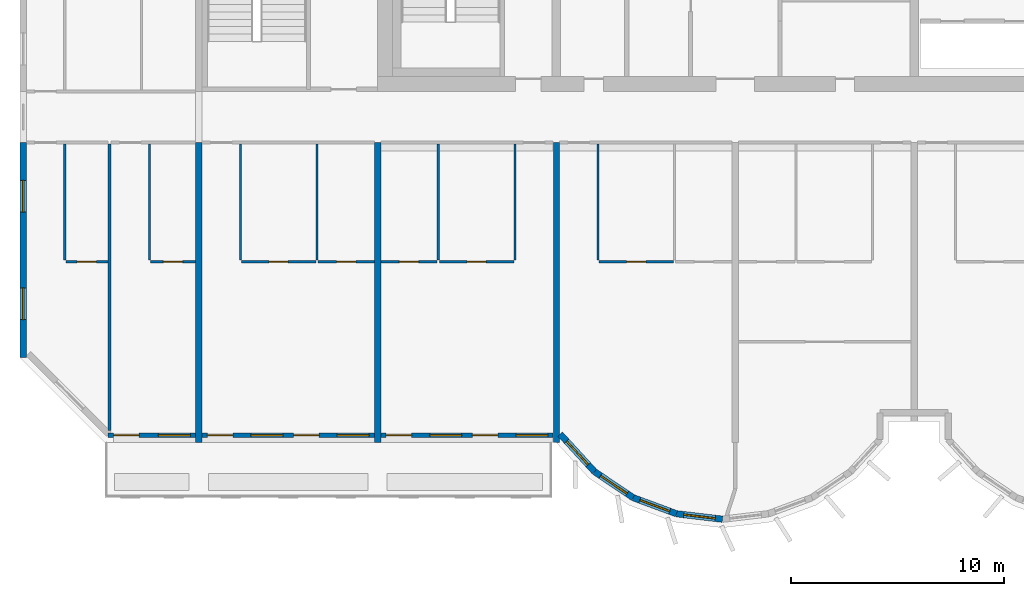
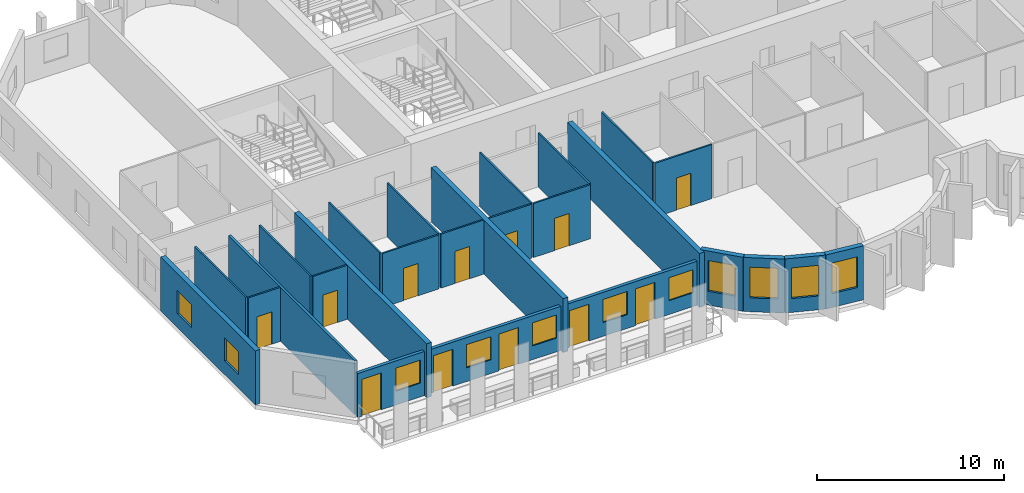
# One storey, part 2 of 13: 26 walls, 12 doors, 11 windows, 23 openings.
"""IFC4 building model written with IfcOpenShell, lengths in metres."""

from ifc_helpers import new_model, si_unit, direction, frame, frame_2d, origin, place, context, subcontext, project, spatial, rectangle, extrude, source, transform, mapped, material, layer, layer_set, type_object, element, fill, save


model = new_model("IFC4")

# Units and contexts
model_context = context("Model", 3, precision=1e-05, world=origin(), true_north=direction((0.0, 1.0)))
body_context = subcontext(model_context, "Body", "Model", "MODEL_VIEW")
ifc_project = project(units=[si_unit("LENGTHUNIT", "METRE"), si_unit("AREAUNIT", "SQUARE_METRE"), si_unit("VOLUMEUNIT", "CUBIC_METRE"), si_unit("PLANEANGLEUNIT", "RADIAN"), si_unit("MASSUNIT", "GRAM", prefix="KILO")], contexts=[model_context])

# Site, building, storey
site_placement = place(None, origin())
site = spatial("IfcSite", under=ifc_project, at=site_placement, CompositionType="ELEMENT")
building_placement = place(site_placement, origin())
building = spatial("IfcBuilding", under=site, at=building_placement, Name="Vanashikhar Sky Hotel", CompositionType="ELEMENT")
storey_placement = place(building_placement, frame((0.0, 0.0, 189.60009765625)))
storey = spatial("IfcBuildingStorey", under=building, at=storey_placement, Name="L46", CompositionType="ELEMENT", Elevation=189.60009765625)

# Wall, openings, windows
ifc_material_1 = material(Name="Concrete M60", Category="concrete")
ifc_layer_1 = layer(ifc_material_1, 0.300048828125)
ifc_layer_set_1 = layer_set([ifc_layer_1], Name="RC shear wall 300 Concrete M60")
wall_type_1 = type_object("IfcWallType", Name="RC shear wall 300 Concrete M60", PredefinedType="SHEAR", material=ifc_layer_set_1)
shared_shape_1 = source(origin(), body_context, "Body", "SweptSolid", [
    extrude(rectangle(XDim=10.10009765625, YDim=0.300048828125, at=frame_2d((5.050048828125, 0.0))), origin(), (0.0, 0.0, 1.0), 3.52001953125),
])
wall_1_placement = place(storey_placement, frame((8.550048828125, 9.5, 0.0), z_axis=(0.0, 0.0, 1.0), x_axis=(0.0, 1.0, 0.0)))
wall_1 = element("IfcWall", 1, at=wall_1_placement, inside=storey, type_object=wall_type_1, Name="CW-L46-XW02-1", PredefinedType="SHEAR", context=body_context, shape_type="MappedRepresentation", body=[
    mapped(shared_shape_1, transform((0.0, 0.0, 0.0), scale=1.0)),
])
shared_shape_2 = source(origin(), body_context, "Body", "SweptSolid", [
    extrude(rectangle(XDim=1.5, YDim=1.5, at=frame_2d((0.75, 0.75))), frame((0.0, 0.16015625, 0.0), z_axis=(0.0, -1.0, 0.0), x_axis=(1.0, 0.0, 0.0)), (0.0, 0.0, 1.0), 0.320068359375),
])
opening_1_placement = place(wall_1_placement, frame((1.77490234375, 0.0, 0.89990234375)))
opening_1 = element("IfcOpeningElement", 2, at=opening_1_placement, cuts=wall_1, Name="Opening WN-1", PredefinedType="OPENING", context=body_context, shape_type="MappedRepresentation", body=[
    mapped(shared_shape_2, transform((0.0, 0.0, 0.0), scale=1.0)),
])
opening_2_placement = place(wall_1_placement, frame((6.824951171875, 0.0, 0.89990234375)))
opening_2 = element("IfcOpeningElement", 3, at=opening_2_placement, cuts=wall_1, Name="Opening WN-1", PredefinedType="OPENING", context=body_context, shape_type="MappedRepresentation", body=[
    mapped(shared_shape_2, transform((0.0, 0.0, 0.0), scale=1.0)),
])
ifc_material_2 = material(Name="Glass", Category="glass")
window_type_1 = type_object("IfcWindowType", Name="Window 1500 x 1500", PartitioningType="SINGLE_PANEL", PredefinedType="WINDOW", material=ifc_material_2)
shared_shape_3 = source(origin(), body_context, "Body", "SweptSolid", [
    extrude(rectangle(XDim=1.5, YDim=1.5, at=frame_2d((0.75, 0.75))), frame((0.0, 0.030029296875, 0.0), z_axis=(0.0, -1.0, 0.0), x_axis=(1.0, 0.0, 0.0)), (0.0, 0.0, 1.0), 0.06005859375),
])
window_1_placement = place(opening_1_placement, origin())
window_1 = element("IfcWindow", 4, at=window_1_placement, inside=storey, type_object=window_type_1, Name="Window WN-1", OverallHeight=1.5, OverallWidth=1.5, PartitioningType="SINGLE_PANEL", PredefinedType="WINDOW", context=body_context, shape_type="MappedRepresentation", body=[
    mapped(shared_shape_3, transform((0.0, 0.0, 0.0), scale=1.0)),
])
fill(opening_1, window_1)
window_2_placement = place(opening_2_placement, origin())
window_2 = element("IfcWindow", 5, at=window_2_placement, inside=storey, type_object=window_type_1, Name="Window WN-1", OverallHeight=1.5, OverallWidth=1.5, PartitioningType="SINGLE_PANEL", PredefinedType="WINDOW", context=body_context, shape_type="MappedRepresentation", body=[
    mapped(shared_shape_3, transform((0.0, 0.0, 0.0), scale=1.0)),
])
fill(opening_2, window_2)

# Walls
shared_shape_4 = source(origin(), body_context, "Body", "SweptSolid", [
    extrude(rectangle(XDim=14.10009765625, YDim=0.300048828125, at=frame_2d((7.050048828125, 0.0))), origin(), (0.0, 0.0, 1.0), 3.52001953125),
])
for number, where, z_axis, x_axis, name in (
    (6, (16.800048828125, 5.5, 0.0), (0.0, 0.0, 1.0), (0.0, 1.0, 0.0), "CW-L46-XW03-1"),
    (7, (25.199951171875, 5.5, 0.0), (0.0, 0.0, 1.0), (0.0, 1.0, 0.0), "CW-L46-XW04-1"),
    (8, (33.60009765625, 5.5, 0.0), (0.0, 0.0, 1.0), (0.0, 1.0, 0.0), "CW-L46-XW05-1"),
):
    element("IfcWall", number, at=place(storey_placement, frame(where, z_axis=z_axis, x_axis=x_axis)), inside=storey, type_object=wall_type_1, Name=name, PredefinedType="SHEAR", context=body_context, shape_type="MappedRepresentation", body=[
        mapped(shared_shape_4, transform((0.0, 0.0, 0.0), scale=1.0)),
    ])

# Wall, opening, window
ifc_material_3 = material(Name="Concrete M50", Category="concrete")
ifc_layer_2 = layer(ifc_material_3, 0.300048828125)
ifc_layer_set_2 = layer_set([ifc_layer_2], Name="Lobe wall 300")
wall_type_2 = type_object("IfcWallType", Name="Lobe wall 300", PredefinedType="SOLIDWALL", material=ifc_layer_set_2)
shared_shape_5 = source(origin(), body_context, "Body", "SweptSolid", [
    extrude(rectangle(XDim=2.398193359375, YDim=0.300048828125, at=frame_2d((1.19921875, 0.0))), origin(), (0.0, 0.0, 1.0), 3.52001953125),
])
wall_2_placement = place(storey_placement, frame((33.776123046875, 5.89990234375, 0.0), z_axis=(0.0, 0.0, 1.0), x_axis=(0.675374189419, -0.737475222815, 0.0)))
wall_2 = element("IfcWall", 9, at=wall_2_placement, inside=storey, type_object=wall_type_2, Name="Lobe wall", PredefinedType="SOLIDWALL", context=body_context, shape_type="MappedRepresentation", body=[
    mapped(shared_shape_5, transform((0.0, 0.0, 0.0), scale=1.0)),
])
shared_shape_6 = source(origin(), body_context, "Body", "SweptSolid", [
    extrude(rectangle(XDim=1.5, YDim=2.0, at=frame_2d((0.75, 1.0))), frame((0.0, 0.16015625, 0.0), z_axis=(0.0, -1.0, 0.0), x_axis=(1.0, 0.0, 0.0)), (0.0, 0.0, 1.0), 0.320068359375),
])
opening_3_placement = place(wall_2_placement, frame((0.44921875, 0.0, 0.89990234375)))
opening_3 = element("IfcOpeningElement", 10, at=opening_3_placement, cuts=wall_2, Name="Opening WN-2", PredefinedType="OPENING", context=body_context, shape_type="MappedRepresentation", body=[
    mapped(shared_shape_6, transform((0.0, 0.0, 0.0), scale=1.0)),
])
window_type_2 = type_object("IfcWindowType", Name="Lobe window 1500 x 2000", PartitioningType="SINGLE_PANEL", PredefinedType="WINDOW", material=ifc_material_2)
shared_shape_7 = source(origin(), body_context, "Body", "SweptSolid", [
    extrude(rectangle(XDim=1.5, YDim=2.0, at=frame_2d((0.75, 1.0))), frame((0.0, 0.030029296875, 0.0), z_axis=(0.0, -1.0, 0.0), x_axis=(1.0, 0.0, 0.0)), (0.0, 0.0, 1.0), 0.06005859375),
])
window_3_placement = place(opening_3_placement, origin())
window_3 = element("IfcWindow", 11, at=window_3_placement, inside=storey, type_object=window_type_2, Name="Window WN-2", OverallHeight=2.0, OverallWidth=1.5, PartitioningType="SINGLE_PANEL", PredefinedType="WINDOW", context=body_context, shape_type="MappedRepresentation", body=[
    mapped(shared_shape_7, transform((0.0, 0.0, 0.0), scale=1.0)),
])
fill(opening_3, window_3)

shared_shape_8 = source(origin(), body_context, "Body", "SweptSolid", [
    extrude(rectangle(XDim=2.17578125, YDim=0.300048828125, at=frame_2d((1.087890625, 0.0))), origin(), (0.0, 0.0, 1.0), 3.52001953125),
])
wall_3_placement = place(storey_placement, frame((35.395751953125, 4.13134765625, 0.0), z_axis=(0.0, 0.0, 1.0), x_axis=(0.829590746428, -0.558371913192, 0.0)))
wall_3 = element("IfcWall", 12, at=wall_3_placement, inside=storey, type_object=wall_type_2, Name="Lobe wall", PredefinedType="SOLIDWALL", context=body_context, shape_type="MappedRepresentation", body=[
    mapped(shared_shape_8, transform((0.0, 0.0, 0.0), scale=1.0)),
])
opening_4_placement = place(wall_3_placement, frame((0.337890625, 0.0, 0.89990234375)))
opening_4 = element("IfcOpeningElement", 13, at=opening_4_placement, cuts=wall_3, Name="Opening WN-2", PredefinedType="OPENING", context=body_context, shape_type="MappedRepresentation", body=[
    mapped(shared_shape_6, transform((0.0, 0.0, 0.0), scale=1.0)),
])
window_4_placement = place(opening_4_placement, origin())
window_4 = element("IfcWindow", 14, at=window_4_placement, inside=storey, type_object=window_type_2, Name="Window WN-2", OverallHeight=2.0, OverallWidth=1.5, PartitioningType="SINGLE_PANEL", PredefinedType="WINDOW", context=body_context, shape_type="MappedRepresentation", body=[
    mapped(shared_shape_7, transform((0.0, 0.0, 0.0), scale=1.0)),
])
fill(opening_4, window_4)

wall_4_placement = place(storey_placement, frame((37.20068359375, 2.91650390625, 0.0), z_axis=(0.0, 0.0, 1.0), x_axis=(0.93754555999, -0.347862505801, 0.0)))
wall_4 = element("IfcWall", 15, at=wall_4_placement, inside=storey, type_object=wall_type_2, Name="Lobe wall", PredefinedType="SOLIDWALL", context=body_context, shape_type="MappedRepresentation", body=[
    mapped(shared_shape_8, transform((0.0, 0.0, 0.0), scale=1.0)),
])
opening_5_placement = place(wall_4_placement, frame((0.337890625, 0.0, 0.89990234375)))
opening_5 = element("IfcOpeningElement", 16, at=opening_5_placement, cuts=wall_4, Name="Opening WN-2", PredefinedType="OPENING", context=body_context, shape_type="MappedRepresentation", body=[
    mapped(shared_shape_6, transform((0.0, 0.0, 0.0), scale=1.0)),
])
window_5_placement = place(opening_5_placement, origin())
window_5 = element("IfcWindow", 17, at=window_5_placement, inside=storey, type_object=window_type_2, Name="Window WN-2", OverallHeight=2.0, OverallWidth=1.5, PartitioningType="SINGLE_PANEL", PredefinedType="WINDOW", context=body_context, shape_type="MappedRepresentation", body=[
    mapped(shared_shape_7, transform((0.0, 0.0, 0.0), scale=1.0)),
])
fill(opening_5, window_5)

shared_shape_9 = source(origin(), body_context, "Body", "SweptSolid", [
    extrude(rectangle(XDim=2.174560546875, YDim=0.300048828125, at=frame_2d((1.08740234375, 0.0))), origin(), (0.0, 0.0, 1.0), 3.52001953125),
])
wall_5_placement = place(storey_placement, frame((39.240478515625, 2.15966796875, 0.0), z_axis=(0.0, 0.0, 1.0), x_axis=(0.993001132889, -0.118104826659, 0.0)))
wall_5 = element("IfcWall", 18, at=wall_5_placement, inside=storey, type_object=wall_type_2, Name="Lobe wall", PredefinedType="SOLIDWALL", context=body_context, shape_type="MappedRepresentation", body=[
    mapped(shared_shape_9, transform((0.0, 0.0, 0.0), scale=1.0)),
])
opening_6_placement = place(wall_5_placement, frame((0.33740234375, 0.0, 0.89990234375)))
opening_6 = element("IfcOpeningElement", 19, at=opening_6_placement, cuts=wall_5, Name="Opening WN-2", PredefinedType="OPENING", context=body_context, shape_type="MappedRepresentation", body=[
    mapped(shared_shape_6, transform((0.0, 0.0, 0.0), scale=1.0)),
])
window_6_placement = place(opening_6_placement, origin())
window_6 = element("IfcWindow", 20, at=window_6_placement, inside=storey, type_object=window_type_2, Name="Window WN-2", OverallHeight=2.0, OverallWidth=1.5, PartitioningType="SINGLE_PANEL", PredefinedType="WINDOW", context=body_context, shape_type="MappedRepresentation", body=[
    mapped(shared_shape_7, transform((0.0, 0.0, 0.0), scale=1.0)),
])
fill(opening_6, window_6)

# Wall, openings, window, door
ifc_layer_3 = layer(ifc_material_3, 0.199951171875)
ifc_layer_set_3 = layer_set([ifc_layer_3], Name="Front window wall 200")
wall_type_3 = type_object("IfcWallType", Name="Front window wall 200", PredefinedType="SOLIDWALL", material=ifc_layer_set_3)
shared_shape_10 = source(origin(), body_context, "Body", "SweptSolid", [
    extrude(rectangle(XDim=4.10498046875, YDim=0.199951171875, at=frame_2d((2.052490234375, 0.0))), origin(), (0.0, 0.0, 1.0), 2.869873046875),
])
wall_6_placement = place(storey_placement, frame((12.544921875, 5.85009765625, 0.0), z_axis=(0.0, 0.0, 1.0), x_axis=(1.0, 0.0, 0.0)))
wall_6 = element("IfcWall", 21, at=wall_6_placement, inside=storey, type_object=wall_type_3, Name="Front window wall", PredefinedType="SOLIDWALL", context=body_context, shape_type="MappedRepresentation", body=[
    mapped(shared_shape_10, transform((0.0, 0.0, 0.0), scale=1.0)),
])
shared_shape_11 = source(origin(), body_context, "Body", "SweptSolid", [
    extrude(rectangle(XDim=1.199951171875, YDim=2.39990234375, at=frame_2d((0.60009765625, 1.199951171875))), frame((0.0, 0.10986328125, 0.0), z_axis=(0.0, -1.0, 0.0), x_axis=(1.0, 0.0, 0.0)), (0.0, 0.0, 1.0), 0.219970703125),
])
opening_7_placement = place(wall_6_placement, frame((0.25, 0.0, 0.0)))
opening_7 = element("IfcOpeningElement", 22, at=opening_7_placement, cuts=wall_6, Name="Opening BD-01", PredefinedType="OPENING", context=body_context, shape_type="MappedRepresentation", body=[
    mapped(shared_shape_11, transform((0.0, 0.0, 0.0), scale=1.0)),
])
shared_shape_12 = source(origin(), body_context, "Body", "SweptSolid", [
    extrude(rectangle(XDim=1.5, YDim=1.5, at=frame_2d((0.75, 0.75))), frame((0.0, 0.10986328125, 0.0), z_axis=(0.0, -1.0, 0.0), x_axis=(1.0, 0.0, 0.0)), (0.0, 0.0, 1.0), 0.219970703125),
])
opening_8_placement = place(wall_6_placement, frame((2.35498046875, 0.0, 0.89990234375)))
opening_8 = element("IfcOpeningElement", 23, at=opening_8_placement, cuts=wall_6, Name="Opening WN-1", PredefinedType="OPENING", context=body_context, shape_type="MappedRepresentation", body=[
    mapped(shared_shape_12, transform((0.0, 0.0, 0.0), scale=1.0)),
])
window_7_placement = place(opening_8_placement, origin())
window_7 = element("IfcWindow", 24, at=window_7_placement, inside=storey, type_object=window_type_1, Name="Window WN-1", OverallHeight=1.5, OverallWidth=1.5, PartitioningType="SINGLE_PANEL", PredefinedType="WINDOW", context=body_context, shape_type="MappedRepresentation", body=[
    mapped(shared_shape_3, transform((0.0, 0.0, 0.0), scale=1.0)),
])
fill(opening_8, window_7)
ifc_material_4 = material(Name="Aluminium", Category="aluminium")
door_type_1 = type_object("IfcDoorType", Name="Balcony sliding door 1200 x 2400", OperationType="NOTDEFINED", PredefinedType="DOOR", material=ifc_material_4)
shared_shape_13 = source(origin(), body_context, "Body", "SweptSolid", [
    extrude(rectangle(XDim=1.199951171875, YDim=2.39990234375, at=frame_2d((0.60009765625, 1.199951171875))), frame((0.0, 0.02490234375, 0.0), z_axis=(0.0, -1.0, 0.0), x_axis=(1.0, 0.0, 0.0)), (0.0, 0.0, 1.0), 0.050048828125),
])
door_1_placement = place(opening_7_placement, origin())
door_1 = element("IfcDoor", 25, at=door_1_placement, inside=storey, type_object=door_type_1, Name="Balcony sliding door", OperationType="SLIDING_TO_LEFT", OverallHeight=2.39990234375, OverallWidth=1.199951171875, PredefinedType="DOOR", context=body_context, shape_type="MappedRepresentation", body=[
    mapped(shared_shape_13, transform((0.0, 0.0, 0.0), scale=1.0)),
])
fill(opening_7, door_1)

# Wall, openings, windows, doors
shared_shape_14 = source(origin(), body_context, "Body", "SweptSolid", [
    extrude(rectangle(XDim=8.10009765625, YDim=0.199951171875, at=frame_2d((4.050048828125, 0.0))), origin(), (0.0, 0.0, 1.0), 2.869873046875),
])
wall_7_placement = place(storey_placement, frame((16.949951171875, 5.85009765625, 0.0), z_axis=(0.0, 0.0, 1.0), x_axis=(1.0, 0.0, 0.0)))
wall_7 = element("IfcWall", 26, at=wall_7_placement, inside=storey, type_object=wall_type_3, Name="Front window wall", PredefinedType="SOLIDWALL", context=body_context, shape_type="MappedRepresentation", body=[
    mapped(shared_shape_14, transform((0.0, 0.0, 0.0), scale=1.0)),
])
opening_9_placement = place(wall_7_placement, frame((0.25, 0.0, 0.0)))
opening_9 = element("IfcOpeningElement", 27, at=opening_9_placement, cuts=wall_7, Name="Opening BD-02", PredefinedType="OPENING", context=body_context, shape_type="MappedRepresentation", body=[
    mapped(shared_shape_11, transform((0.0, 0.0, 0.0), scale=1.0)),
])
opening_10_placement = place(wall_7_placement, frame((2.300048828125, 0.0, 0.89990234375)))
opening_10 = element("IfcOpeningElement", 28, at=opening_10_placement, cuts=wall_7, Name="Opening WN-1", PredefinedType="OPENING", context=body_context, shape_type="MappedRepresentation", body=[
    mapped(shared_shape_12, transform((0.0, 0.0, 0.0), scale=1.0)),
])
opening_11_placement = place(wall_7_placement, frame((4.300048828125, 0.0, 0.0)))
opening_11 = element("IfcOpeningElement", 29, at=opening_11_placement, cuts=wall_7, Name="Opening BD-03", PredefinedType="OPENING", context=body_context, shape_type="MappedRepresentation", body=[
    mapped(shared_shape_11, transform((0.0, 0.0, 0.0), scale=1.0)),
])
opening_12_placement = place(wall_7_placement, frame((6.35009765625, 0.0, 0.89990234375)))
opening_12 = element("IfcOpeningElement", 30, at=opening_12_placement, cuts=wall_7, Name="Opening WN-1", PredefinedType="OPENING", context=body_context, shape_type="MappedRepresentation", body=[
    mapped(shared_shape_12, transform((0.0, 0.0, 0.0), scale=1.0)),
])
window_8_placement = place(opening_10_placement, origin())
window_8 = element("IfcWindow", 31, at=window_8_placement, inside=storey, type_object=window_type_1, Name="Window WN-1", OverallHeight=1.5, OverallWidth=1.5, PartitioningType="SINGLE_PANEL", PredefinedType="WINDOW", context=body_context, shape_type="MappedRepresentation", body=[
    mapped(shared_shape_3, transform((0.0, 0.0, 0.0), scale=1.0)),
])
fill(opening_10, window_8)
window_9_placement = place(opening_12_placement, origin())
window_9 = element("IfcWindow", 32, at=window_9_placement, inside=storey, type_object=window_type_1, Name="Window WN-1", OverallHeight=1.5, OverallWidth=1.5, PartitioningType="SINGLE_PANEL", PredefinedType="WINDOW", context=body_context, shape_type="MappedRepresentation", body=[
    mapped(shared_shape_3, transform((0.0, 0.0, 0.0), scale=1.0)),
])
fill(opening_12, window_9)
door_2_placement = place(opening_9_placement, origin())
door_2 = element("IfcDoor", 33, at=door_2_placement, inside=storey, type_object=door_type_1, Name="Balcony sliding door", OperationType="SLIDING_TO_RIGHT", OverallHeight=2.39990234375, OverallWidth=1.199951171875, PredefinedType="DOOR", context=body_context, shape_type="MappedRepresentation", body=[
    mapped(shared_shape_13, transform((0.0, 0.0, 0.0), scale=1.0)),
])
fill(opening_9, door_2)
door_3_placement = place(opening_11_placement, origin())
door_3 = element("IfcDoor", 34, at=door_3_placement, inside=storey, type_object=door_type_1, Name="Balcony sliding door", OperationType="SLIDING_TO_LEFT", OverallHeight=2.39990234375, OverallWidth=1.199951171875, PredefinedType="DOOR", context=body_context, shape_type="MappedRepresentation", body=[
    mapped(shared_shape_13, transform((0.0, 0.0, 0.0), scale=1.0)),
])
fill(opening_11, door_3)

shared_shape_15 = source(origin(), body_context, "Body", "SweptSolid", [
    extrude(rectangle(XDim=8.099853515625, YDim=0.199951171875, at=frame_2d((4.0498046875, 0.0))), origin(), (0.0, 0.0, 1.0), 2.869873046875),
])
wall_8_placement = place(storey_placement, frame((25.35009765625, 5.85009765625, 0.0), z_axis=(0.0, 0.0, 1.0), x_axis=(1.0, 0.0, 0.0)))
wall_8 = element("IfcWall", 35, at=wall_8_placement, inside=storey, type_object=wall_type_3, Name="Front window wall", PredefinedType="SOLIDWALL", context=body_context, shape_type="MappedRepresentation", body=[
    mapped(shared_shape_15, transform((0.0, 0.0, 0.0), scale=1.0)),
])
opening_13_placement = place(wall_8_placement, frame((0.25, 0.0, 0.0)))
opening_13 = element("IfcOpeningElement", 36, at=opening_13_placement, cuts=wall_8, Name="Opening BD-04", PredefinedType="OPENING", context=body_context, shape_type="MappedRepresentation", body=[
    mapped(shared_shape_11, transform((0.0, 0.0, 0.0), scale=1.0)),
])
opening_14_placement = place(wall_8_placement, frame((2.300048828125, 0.0, 0.89990234375)))
opening_14 = element("IfcOpeningElement", 37, at=opening_14_placement, cuts=wall_8, Name="Opening WN-1", PredefinedType="OPENING", context=body_context, shape_type="MappedRepresentation", body=[
    mapped(shared_shape_12, transform((0.0, 0.0, 0.0), scale=1.0)),
])
opening_15_placement = place(wall_8_placement, frame((4.300048828125, 0.0, 0.0)))
opening_15 = element("IfcOpeningElement", 38, at=opening_15_placement, cuts=wall_8, Name="Opening BD-05", PredefinedType="OPENING", context=body_context, shape_type="MappedRepresentation", body=[
    mapped(shared_shape_11, transform((0.0, 0.0, 0.0), scale=1.0)),
])
opening_16_placement = place(wall_8_placement, frame((6.35009765625, 0.0, 0.89990234375)))
opening_16 = element("IfcOpeningElement", 39, at=opening_16_placement, cuts=wall_8, Name="Opening WN-1", PredefinedType="OPENING", context=body_context, shape_type="MappedRepresentation", body=[
    mapped(shared_shape_12, transform((0.0, 0.0, 0.0), scale=1.0)),
])
window_10_placement = place(opening_14_placement, origin())
window_10 = element("IfcWindow", 40, at=window_10_placement, inside=storey, type_object=window_type_1, Name="Window WN-1", OverallHeight=1.5, OverallWidth=1.5, PartitioningType="SINGLE_PANEL", PredefinedType="WINDOW", context=body_context, shape_type="MappedRepresentation", body=[
    mapped(shared_shape_3, transform((0.0, 0.0, 0.0), scale=1.0)),
])
fill(opening_14, window_10)
window_11_placement = place(opening_16_placement, origin())
window_11 = element("IfcWindow", 41, at=window_11_placement, inside=storey, type_object=window_type_1, Name="Window WN-1", OverallHeight=1.5, OverallWidth=1.5, PartitioningType="SINGLE_PANEL", PredefinedType="WINDOW", context=body_context, shape_type="MappedRepresentation", body=[
    mapped(shared_shape_3, transform((0.0, 0.0, 0.0), scale=1.0)),
])
fill(opening_16, window_11)
door_4_placement = place(opening_13_placement, origin())
door_4 = element("IfcDoor", 42, at=door_4_placement, inside=storey, type_object=door_type_1, Name="Balcony sliding door", OperationType="SLIDING_TO_RIGHT", OverallHeight=2.39990234375, OverallWidth=1.199951171875, PredefinedType="DOOR", context=body_context, shape_type="MappedRepresentation", body=[
    mapped(shared_shape_13, transform((0.0, 0.0, 0.0), scale=1.0)),
])
fill(opening_13, door_4)
door_5_placement = place(opening_15_placement, origin())
door_5 = element("IfcDoor", 43, at=door_5_placement, inside=storey, type_object=door_type_1, Name="Balcony sliding door", OperationType="SLIDING_TO_LEFT", OverallHeight=2.39990234375, OverallWidth=1.199951171875, PredefinedType="DOOR", context=body_context, shape_type="MappedRepresentation", body=[
    mapped(shared_shape_13, transform((0.0, 0.0, 0.0), scale=1.0)),
])
fill(opening_15, door_5)

# Wall, opening, door
ifc_material_5 = material(Name="Gypsum plasterboard partition")
ifc_layer_4 = layer(ifc_material_5, 0.10009765625)
ifc_layer_set_4 = layer_set([ifc_layer_4], Name="Wet room partition 100")
wall_type_4 = type_object("IfcWallType", Name="Wet room partition 100", PredefinedType="PARTITIONING", material=ifc_layer_set_4)
shared_shape_16 = source(origin(), body_context, "Body", "SweptSolid", [
    extrude(rectangle(XDim=3.5, YDim=0.10009765625, at=frame_2d((1.75, 0.0))), origin(), (0.0, 0.0, 1.0), 3.52001953125),
])
wall_9_placement = place(storey_placement, frame((18.800048828125, 14.0, 0.0), z_axis=(0.0, 0.0, 1.0), x_axis=(1.0, 0.0, 0.0)))
wall_9 = element("IfcWall", 44, at=wall_9_placement, inside=storey, type_object=wall_type_4, Name="W-L46-PW010", PredefinedType="PARTITIONING", context=body_context, shape_type="MappedRepresentation", body=[
    mapped(shared_shape_16, transform((0.0, 0.0, 0.0), scale=1.0)),
])
shared_shape_17 = source(origin(), body_context, "Body", "SweptSolid", [
    extrude(rectangle(XDim=0.89990234375, YDim=2.10009765625, at=frame_2d((0.449951171875, 1.050048828125))), frame((0.0, 0.06005859375, 0.0), z_axis=(0.0, -1.0, 0.0), x_axis=(1.0, 0.0, 0.0)), (0.0, 0.0, 1.0), 0.1201171875),
])
opening_17_placement = place(wall_9_placement, frame((1.300048828125, 0.0, 0.0)))
opening_17 = element("IfcOpeningElement", 45, at=opening_17_placement, cuts=wall_9, Name="Opening D-02", PredefinedType="OPENING", context=body_context, shape_type="MappedRepresentation", body=[
    mapped(shared_shape_17, transform((0.0, 0.0, 0.0), scale=1.0)),
])
ifc_material_6 = material(Name="Timber door", Category="wood")
door_type_2 = type_object("IfcDoorType", Name="Internal door 900", OperationType="NOTDEFINED", PredefinedType="DOOR", material=ifc_material_6)
shared_shape_18 = source(origin(), body_context, "Body", "SweptSolid", [
    extrude(rectangle(XDim=0.89990234375, YDim=2.10009765625, at=frame_2d((0.449951171875, 1.050048828125))), frame((0.0, 0.02490234375, 0.0), z_axis=(0.0, -1.0, 0.0), x_axis=(1.0, 0.0, 0.0)), (0.0, 0.0, 1.0), 0.050048828125),
])
door_6_placement = place(opening_17_placement, origin())
door_6 = element("IfcDoor", 46, at=door_6_placement, inside=storey, type_object=door_type_2, Name="D-L46-005", OperationType="SINGLE_SWING_LEFT", OverallHeight=2.10009765625, OverallWidth=0.89990234375, PredefinedType="DOOR", context=body_context, shape_type="MappedRepresentation", body=[
    mapped(shared_shape_18, transform((0.0, 0.0, 0.0), scale=1.0)),
])
fill(opening_17, door_6)

wall_10_placement = place(storey_placement, frame((28.10009765625, 14.0, 0.0), z_axis=(0.0, 0.0, 1.0), x_axis=(1.0, 0.0, 0.0)))
wall_10 = element("IfcWall", 47, at=wall_10_placement, inside=storey, type_object=wall_type_4, Name="W-L46-PW015", PredefinedType="PARTITIONING", context=body_context, shape_type="MappedRepresentation", body=[
    mapped(shared_shape_16, transform((0.0, 0.0, 0.0), scale=1.0)),
])
opening_18_placement = place(wall_10_placement, frame((1.300048828125, 0.0, 0.0)))
opening_18 = element("IfcOpeningElement", 48, at=opening_18_placement, cuts=wall_10, Name="Opening D-02", PredefinedType="OPENING", context=body_context, shape_type="MappedRepresentation", body=[
    mapped(shared_shape_17, transform((0.0, 0.0, 0.0), scale=1.0)),
])
door_7_placement = place(opening_18_placement, origin())
door_7 = element("IfcDoor", 49, at=door_7_placement, inside=storey, type_object=door_type_2, Name="D-L46-008", OperationType="SINGLE_SWING_RIGHT", OverallHeight=2.10009765625, OverallWidth=0.89990234375, PredefinedType="DOOR", context=body_context, shape_type="MappedRepresentation", body=[
    mapped(shared_shape_18, transform((0.0, 0.0, 0.0), scale=1.0)),
])
fill(opening_18, door_7)

wall_11_placement = place(storey_placement, frame((35.60009765625, 14.0, 0.0), z_axis=(0.0, 0.0, 1.0), x_axis=(1.0, 0.0, 0.0)))
wall_11 = element("IfcWall", 50, at=wall_11_placement, inside=storey, type_object=wall_type_4, Name="W-L46-PW020", PredefinedType="PARTITIONING", context=body_context, shape_type="MappedRepresentation", body=[
    mapped(shared_shape_16, transform((0.0, 0.0, 0.0), scale=1.0)),
])
opening_19_placement = place(wall_11_placement, frame((1.300048828125, 0.0, 0.0)))
opening_19 = element("IfcOpeningElement", 51, at=opening_19_placement, cuts=wall_11, Name="Opening D-02", PredefinedType="OPENING", context=body_context, shape_type="MappedRepresentation", body=[
    mapped(shared_shape_17, transform((0.0, 0.0, 0.0), scale=1.0)),
])
door_8_placement = place(opening_19_placement, origin())
door_8 = element("IfcDoor", 52, at=door_8_placement, inside=storey, type_object=door_type_2, Name="D-L46-011", OperationType="SINGLE_SWING_LEFT", OverallHeight=2.10009765625, OverallWidth=0.89990234375, PredefinedType="DOOR", context=body_context, shape_type="MappedRepresentation", body=[
    mapped(shared_shape_18, transform((0.0, 0.0, 0.0), scale=1.0)),
])
fill(opening_19, door_8)

# Walls
shared_shape_19 = source(origin(), body_context, "Body", "SweptSolid", [
    extrude(rectangle(XDim=5.449951171875, YDim=0.10009765625, at=frame_2d((2.72509765625, 0.0))), origin(), (0.0, 0.0, 1.0), 3.52001953125),
])
for number, where, z_axis, x_axis, name in (
    (53, (10.5, 14.074951171875, 0.0), (0.0, 0.0, 1.0), (0.0, 1.0, 0.0), "W-L46-PW001"),
    (54, (14.47509765625, 14.074951171875, 0.0), (0.0, 0.0, 1.0), (0.0, 1.0, 0.0), "W-L46-PW004"),
    (55, (18.75, 14.074951171875, 0.0), (0.0, 0.0, 1.0), (0.0, 1.0, 0.0), "W-L46-PW008"),
    (56, (22.35009765625, 14.074951171875, 0.0), (0.0, 0.0, 1.0), (0.0, 1.0, 0.0), "W-L46-PW009"),
    (57, (31.64990234375, 14.074951171875, 0.0), (0.0, 0.0, 1.0), (0.0, 1.0, 0.0), "W-L46-PW013"),
    (58, (28.050048828125, 14.074951171875, 0.0), (0.0, 0.0, 1.0), (0.0, 1.0, 0.0), "W-L46-PW014"),
    (59, (35.550048828125, 14.074951171875, 0.0), (0.0, 0.0, 1.0), (0.0, 1.0, 0.0), "W-L46-PW018"),
):
    element("IfcWall", number, at=place(storey_placement, frame(where, z_axis=z_axis, x_axis=x_axis)), inside=storey, type_object=wall_type_4, Name=name, PredefinedType="PARTITIONING", context=body_context, shape_type="MappedRepresentation", body=[
        mapped(shared_shape_19, transform((0.0, 0.0, 0.0), scale=1.0)),
    ])
ifc_layer_5 = layer(ifc_material_5, 0.14990234375)
ifc_layer_set_5 = layer_set([ifc_layer_5], Name="Corridor and demising partition 150")
wall_type_5 = type_object("IfcWallType", Name="Corridor and demising partition 150", PredefinedType="PARTITIONING", material=ifc_layer_set_5)
shared_shape_20 = source(origin(), body_context, "Body", "SweptSolid", [
    extrude(rectangle(XDim=13.447021484375, YDim=0.14990234375, at=frame_2d((6.7236328125, 0.0))), origin(), (0.0, 0.0, 1.0), 3.52001953125),
])
wall_12_placement = place(storey_placement, frame((12.60009765625, 6.077880859375, 0.0), z_axis=(0.0, 0.0, 1.0), x_axis=(0.0, 1.0, 0.0)))
element("IfcWall", 60, at=wall_12_placement, inside=storey, type_object=wall_type_5, Name="W-L46-PW007", PredefinedType="PARTITIONING", context=body_context, shape_type="MappedRepresentation", body=[
    mapped(shared_shape_20, transform((0.0, 0.0, 0.0), scale=1.0)),
])

# Wall, opening, door
shared_shape_21 = source(origin(), body_context, "Body", "SweptSolid", [
    extrude(rectangle(XDim=2.125, YDim=0.10009765625, at=frame_2d((1.0625, 0.0))), origin(), (0.0, 0.0, 1.0), 3.52001953125),
])
wall_13_placement = place(storey_placement, frame((14.52490234375, 14.0, 0.0), z_axis=(0.0, 0.0, 1.0), x_axis=(1.0, 0.0, 0.0)))
wall_13 = element("IfcWall", 61, at=wall_13_placement, inside=storey, type_object=wall_type_4, Name="W-L46-PW005", PredefinedType="PARTITIONING", context=body_context, shape_type="MappedRepresentation", body=[
    mapped(shared_shape_21, transform((0.0, 0.0, 0.0), scale=1.0)),
])
opening_20_placement = place(wall_13_placement, frame((0.612060546875, 0.0, 0.0)))
opening_20 = element("IfcOpeningElement", 62, at=opening_20_placement, cuts=wall_13, Name="Opening D-02", PredefinedType="OPENING", context=body_context, shape_type="MappedRepresentation", body=[
    mapped(shared_shape_17, transform((0.0, 0.0, 0.0), scale=1.0)),
])
door_9_placement = place(opening_20_placement, origin())
door_9 = element("IfcDoor", 63, at=door_9_placement, inside=storey, type_object=door_type_2, Name="D-L46-003", OperationType="SINGLE_SWING_LEFT", OverallHeight=2.10009765625, OverallWidth=0.89990234375, PredefinedType="DOOR", context=body_context, shape_type="MappedRepresentation", body=[
    mapped(shared_shape_18, transform((0.0, 0.0, 0.0), scale=1.0)),
])
fill(opening_20, door_9)

shared_shape_22 = source(origin(), body_context, "Body", "SweptSolid", [
    extrude(rectangle(XDim=2.64990234375, YDim=0.10009765625, at=frame_2d((1.324951171875, 0.0))), origin(), (0.0, 0.0, 1.0), 3.52001953125),
])
wall_14_placement = place(storey_placement, frame((25.35009765625, 14.0, 0.0), z_axis=(0.0, 0.0, 1.0), x_axis=(1.0, 0.0, 0.0)))
wall_14 = element("IfcWall", 64, at=wall_14_placement, inside=storey, type_object=wall_type_4, Name="W-L46-PW016", PredefinedType="PARTITIONING", context=body_context, shape_type="MappedRepresentation", body=[
    mapped(shared_shape_22, transform((0.0, 0.0, 0.0), scale=1.0)),
])
opening_21_placement = place(wall_14_placement, frame((0.875, 0.0, 0.0)))
opening_21 = element("IfcOpeningElement", 65, at=opening_21_placement, cuts=wall_14, Name="Opening D-02", PredefinedType="OPENING", context=body_context, shape_type="MappedRepresentation", body=[
    mapped(shared_shape_17, transform((0.0, 0.0, 0.0), scale=1.0)),
])
door_10_placement = place(opening_21_placement, origin())
door_10 = element("IfcDoor", 66, at=door_10_placement, inside=storey, type_object=door_type_2, Name="D-L46-009", OperationType="SINGLE_SWING_RIGHT", OverallHeight=2.10009765625, OverallWidth=0.89990234375, PredefinedType="DOOR", context=body_context, shape_type="MappedRepresentation", body=[
    mapped(shared_shape_18, transform((0.0, 0.0, 0.0), scale=1.0)),
])
fill(opening_21, door_10)

shared_shape_23 = source(origin(), body_context, "Body", "SweptSolid", [
    extrude(rectangle(XDim=2.650146484375, YDim=0.10009765625, at=frame_2d((1.3251953125, 0.0))), origin(), (0.0, 0.0, 1.0), 3.52001953125),
])
wall_15_placement = place(storey_placement, frame((22.39990234375, 14.0, 0.0), z_axis=(0.0, 0.0, 1.0), x_axis=(1.0, 0.0, 0.0)))
wall_15 = element("IfcWall", 67, at=wall_15_placement, inside=storey, type_object=wall_type_4, Name="W-L46-PW011", PredefinedType="PARTITIONING", context=body_context, shape_type="MappedRepresentation", body=[
    mapped(shared_shape_23, transform((0.0, 0.0, 0.0), scale=1.0)),
])
opening_22_placement = place(wall_15_placement, frame((0.875, 0.0, 0.0)))
opening_22 = element("IfcOpeningElement", 68, at=opening_22_placement, cuts=wall_15, Name="Opening D-02", PredefinedType="OPENING", context=body_context, shape_type="MappedRepresentation", body=[
    mapped(shared_shape_17, transform((0.0, 0.0, 0.0), scale=1.0)),
])
door_11_placement = place(opening_22_placement, origin())
door_11 = element("IfcDoor", 69, at=door_11_placement, inside=storey, type_object=door_type_2, Name="D-L46-006", OperationType="SINGLE_SWING_LEFT", OverallHeight=2.10009765625, OverallWidth=0.89990234375, PredefinedType="DOOR", context=body_context, shape_type="MappedRepresentation", body=[
    mapped(shared_shape_18, transform((0.0, 0.0, 0.0), scale=1.0)),
])
fill(opening_22, door_11)

shared_shape_24 = source(origin(), body_context, "Body", "SweptSolid", [
    extrude(rectangle(XDim=1.974853515625, YDim=0.10009765625, at=frame_2d((0.9873046875, 0.0))), origin(), (0.0, 0.0, 1.0), 3.52001953125),
])
wall_16_placement = place(storey_placement, frame((10.550048828125, 14.0, 0.0), z_axis=(0.0, 0.0, 1.0), x_axis=(1.0, 0.0, 0.0)))
wall_16 = element("IfcWall", 70, at=wall_16_placement, inside=storey, type_object=wall_type_4, Name="W-L46-PW002", PredefinedType="PARTITIONING", context=body_context, shape_type="MappedRepresentation", body=[
    mapped(shared_shape_24, transform((0.0, 0.0, 0.0), scale=1.0)),
])
opening_23_placement = place(wall_16_placement, frame((0.5380859375, 0.0, 0.0)))
opening_23 = element("IfcOpeningElement", 71, at=opening_23_placement, cuts=wall_16, Name="Opening D-02", PredefinedType="OPENING", context=body_context, shape_type="MappedRepresentation", body=[
    mapped(shared_shape_17, transform((0.0, 0.0, 0.0), scale=1.0)),
])
door_12_placement = place(opening_23_placement, origin())
door_12 = element("IfcDoor", 72, at=door_12_placement, inside=storey, type_object=door_type_2, Name="D-L46-001", OperationType="SINGLE_SWING_LEFT", OverallHeight=2.10009765625, OverallWidth=0.89990234375, PredefinedType="DOOR", context=body_context, shape_type="MappedRepresentation", body=[
    mapped(shared_shape_18, transform((0.0, 0.0, 0.0), scale=1.0)),
])
fill(opening_23, door_12)

save(model, "model.ifc")
